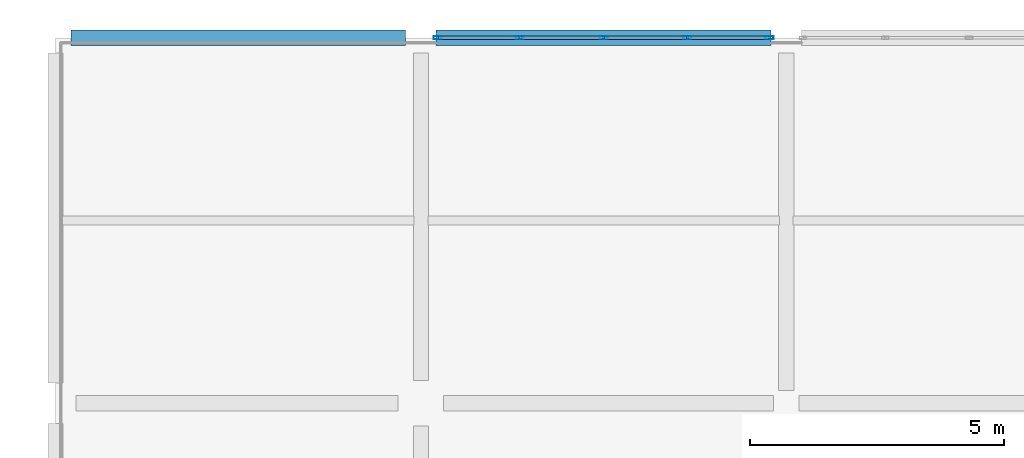
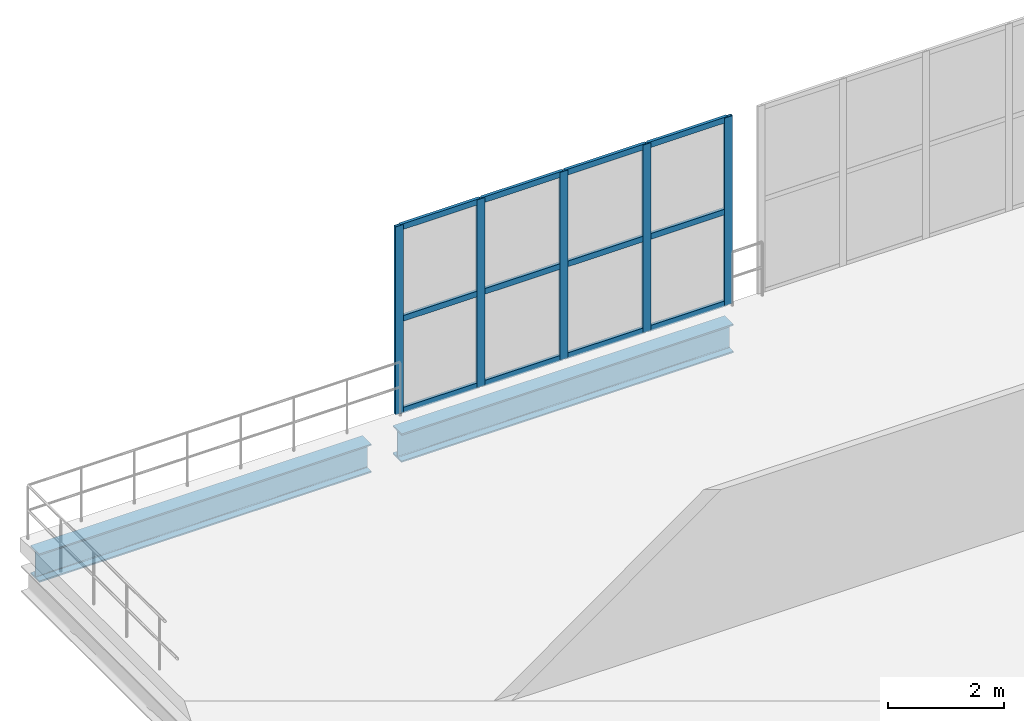
# One storey, part 109 of 153: 17 members, 2 beams, 1 element without a shape of its own.
"""IFC4 building model written with IfcOpenShell, lengths in metres."""

from ifc_helpers import new_model, si_unit, direction, frame, origin, origin_2d, place, context, subcontext, project, spatial, hollow_rectangle, i_section, extrude, material, material_profile, profile_set, type_object, element, aggregate, save


model = new_model("IFC4")

# Units and contexts
model_context = context("Model", 3, precision=1e-05, world=origin(), true_north=direction((0.0, 1.0)))
body_context = subcontext(model_context, "Body", "Model", "MODEL_VIEW")
ifc_project = project(units=[si_unit("LENGTHUNIT", "METRE"), si_unit("AREAUNIT", "SQUARE_METRE"), si_unit("VOLUMEUNIT", "CUBIC_METRE"), si_unit("PLANEANGLEUNIT", "RADIAN"), si_unit("MASSUNIT", "GRAM", prefix="KILO")], contexts=[model_context])

# Site, building, storey
site_placement = place(None, origin())
site = spatial("IfcSite", under=ifc_project, at=site_placement, CompositionType="ELEMENT")
building_placement = place(site_placement, origin())
building = spatial("IfcBuilding", under=site, at=building_placement, Name="Qandorah Velis Arena", CompositionType="ELEMENT")
storey_placement = place(building_placement, frame((0.0, 0.0, 5.39990234375)))
storey = spatial("IfcBuildingStorey", under=building, at=storey_placement, Name="L01", CompositionType="ELEMENT", Elevation=5.39990234375)

# Curtain wall, members
ifc_material_1 = material(Name="Solar-control low-E double glazing", Category="glass")
curtain_wall_type = type_object("IfcCurtainWallType", Name="ARC-CW-SYS07", PredefinedType="USERDEFINED", material=ifc_material_1)
curtain_wall_placement = place(storey_placement, origin())
curtain_wall = element("IfcCurtainWall", 1, at=curtain_wall_placement, inside=storey, type_object=curtain_wall_type, Name="Unitised curtain wall L01-079", ObjectType="UNITISED CURTAIN WALL", PredefinedType="USERDEFINED")
ifc_material_2 = material(Name="Champagne-bronze anodized aluminium 6063-T6", Category="aluminium")
ifc_material_profile_1 = material_profile(ifc_material_2, hollow_rectangle(XDim=0.06005859375, YDim=0.159912109375, WallThickness=0.00341796875, at=origin_2d()), Name="ALU MULLION 60x160")
ifc_profile_set_1 = profile_set([ifc_material_profile_1], Name="Champagne-bronze anodized aluminium 6063-T6")
member_type_1 = type_object("IfcMemberType", Name="ARC-CWM-160", PredefinedType="MULLION", material=ifc_profile_set_1)
member_1_placement = place(storey_placement, frame((7.530029296875, 129.60009765625, -0.014892578125), z_axis=(0.0, 0.0, 1.0), x_axis=(0.0, 1.0, 0.0)))
member_1 = element("IfcMember", 2, at=member_1_placement, type_object=member_type_1, Name="CW07 mullion 1", PredefinedType="MULLION", context=body_context, shape_type="SweptSolid", body=[
    extrude(hollow_rectangle(XDim=0.06005859375, YDim=0.159912109375, WallThickness=0.00341796875, at=origin_2d()), origin(), (0.0, 0.0, 1.0), 3.949951171875),
])
member_2_placement = place(storey_placement, frame((9.14990234375, 129.60009765625, -0.014892578125), z_axis=(0.0, 0.0, 1.0), x_axis=(0.0, 1.0, 0.0)))
member_2 = element("IfcMember", 3, at=member_2_placement, type_object=member_type_1, Name="CW07 mullion 2", PredefinedType="MULLION", context=body_context, shape_type="SweptSolid", body=[
    extrude(hollow_rectangle(XDim=0.06005859375, YDim=0.159912109375, WallThickness=0.00341796875, at=origin_2d()), origin(), (0.0, 0.0, 1.0), 3.949951171875),
])
member_3_placement = place(storey_placement, frame((10.800048828125, 129.60009765625, -0.014892578125), z_axis=(0.0, 0.0, 1.0), x_axis=(0.0, 1.0, 0.0)))
member_3 = element("IfcMember", 4, at=member_3_placement, type_object=member_type_1, Name="CW07 mullion 3", PredefinedType="MULLION", context=body_context, shape_type="SweptSolid", body=[
    extrude(hollow_rectangle(XDim=0.06005859375, YDim=0.159912109375, WallThickness=0.00341796875, at=origin_2d()), origin(), (0.0, 0.0, 1.0), 3.949951171875),
])
member_4_placement = place(storey_placement, frame((12.449951171875, 129.60009765625, -0.014892578125), z_axis=(0.0, 0.0, 1.0), x_axis=(0.0, 1.0, 0.0)))
member_4 = element("IfcMember", 5, at=member_4_placement, type_object=member_type_1, Name="CW07 mullion 4", PredefinedType="MULLION", context=body_context, shape_type="SweptSolid", body=[
    extrude(hollow_rectangle(XDim=0.06005859375, YDim=0.159912109375, WallThickness=0.00341796875, at=origin_2d()), origin(), (0.0, 0.0, 1.0), 3.949951171875),
])
member_5_placement = place(storey_placement, frame((14.070068359375, 129.60009765625, -0.014892578125), z_axis=(0.0, 0.0, 1.0), x_axis=(0.0, 1.0, 0.0)))
member_5 = element("IfcMember", 6, at=member_5_placement, type_object=member_type_1, Name="CW07 mullion 5", PredefinedType="MULLION", context=body_context, shape_type="SweptSolid", body=[
    extrude(hollow_rectangle(XDim=0.06005859375, YDim=0.159912109375, WallThickness=0.00341796875, at=origin_2d()), origin(), (0.0, 0.0, 1.0), 3.949951171875),
])
ifc_material_profile_2 = material_profile(ifc_material_2, hollow_rectangle(XDim=0.06005859375, YDim=0.1201171875, WallThickness=0.0029296875, at=origin_2d()), Name="ALU TRANSOM 60x120")
ifc_profile_set_2 = profile_set([ifc_material_profile_2], Name="Champagne-bronze anodized aluminium 6063-T6")
member_type_2 = type_object("IfcMemberType", Name="ARC-CWT-120", PredefinedType="USERDEFINED", material=ifc_profile_set_2)
member_6_placement = place(storey_placement, frame((7.548095703125, 129.60009765625, 0.030029296875), z_axis=(1.0, 0.0, 0.0), x_axis=(0.0, 1.0, 0.0)))
member_6 = element("IfcMember", 7, at=member_6_placement, type_object=member_type_2, Name="CW07 transom 1.1", ObjectType="TRANSOM", PredefinedType="USERDEFINED", context=body_context, shape_type="SweptSolid", body=[
    extrude(hollow_rectangle(XDim=0.06005859375, YDim=0.1201171875, WallThickness=0.0029296875, at=origin_2d()), origin(), (0.0, 0.0, 1.0), 1.583984375),
])
member_7_placement = place(storey_placement, frame((7.548095703125, 129.60009765625, 1.960205078125), z_axis=(1.0, 0.0, 0.0), x_axis=(0.0, 1.0, 0.0)))
member_7 = element("IfcMember", 8, at=member_7_placement, type_object=member_type_2, Name="CW07 transom 1.2", ObjectType="TRANSOM", PredefinedType="USERDEFINED", context=body_context, shape_type="SweptSolid", body=[
    extrude(hollow_rectangle(XDim=0.06005859375, YDim=0.1201171875, WallThickness=0.0029296875, at=origin_2d()), origin(), (0.0, 0.0, 1.0), 1.583984375),
])
member_8_placement = place(storey_placement, frame((7.548095703125, 129.60009765625, 3.89013671875), z_axis=(1.0, 0.0, 0.0), x_axis=(0.0, 1.0, 0.0)))
member_8 = element("IfcMember", 9, at=member_8_placement, type_object=member_type_2, Name="CW07 transom 1.3", ObjectType="TRANSOM", PredefinedType="USERDEFINED", context=body_context, shape_type="SweptSolid", body=[
    extrude(hollow_rectangle(XDim=0.06005859375, YDim=0.1201171875, WallThickness=0.0029296875, at=origin_2d()), origin(), (0.0, 0.0, 1.0), 1.583984375),
])
member_9_placement = place(storey_placement, frame((9.16796875, 129.60009765625, 0.030029296875), z_axis=(1.0, 0.0, 0.0), x_axis=(0.0, 1.0, 0.0)))
member_9 = element("IfcMember", 10, at=member_9_placement, type_object=member_type_2, Name="CW07 transom 2.1", ObjectType="TRANSOM", PredefinedType="USERDEFINED", context=body_context, shape_type="SweptSolid", body=[
    extrude(hollow_rectangle(XDim=0.06005859375, YDim=0.1201171875, WallThickness=0.0029296875, at=origin_2d()), origin(), (0.0, 0.0, 1.0), 1.614013671875),
])
member_10_placement = place(storey_placement, frame((9.16796875, 129.60009765625, 1.960205078125), z_axis=(1.0, 0.0, 0.0), x_axis=(0.0, 1.0, 0.0)))
member_10 = element("IfcMember", 11, at=member_10_placement, type_object=member_type_2, Name="CW07 transom 2.2", ObjectType="TRANSOM", PredefinedType="USERDEFINED", context=body_context, shape_type="SweptSolid", body=[
    extrude(hollow_rectangle(XDim=0.06005859375, YDim=0.1201171875, WallThickness=0.0029296875, at=origin_2d()), origin(), (0.0, 0.0, 1.0), 1.614013671875),
])
member_11_placement = place(storey_placement, frame((9.16796875, 129.60009765625, 3.89013671875), z_axis=(1.0, 0.0, 0.0), x_axis=(0.0, 1.0, 0.0)))
member_11 = element("IfcMember", 12, at=member_11_placement, type_object=member_type_2, Name="CW07 transom 2.3", ObjectType="TRANSOM", PredefinedType="USERDEFINED", context=body_context, shape_type="SweptSolid", body=[
    extrude(hollow_rectangle(XDim=0.06005859375, YDim=0.1201171875, WallThickness=0.0029296875, at=origin_2d()), origin(), (0.0, 0.0, 1.0), 1.614013671875),
])
member_12_placement = place(storey_placement, frame((10.818115234375, 129.60009765625, 0.030029296875), z_axis=(1.0, 0.0, 0.0), x_axis=(0.0, 1.0, 0.0)))
member_12 = element("IfcMember", 13, at=member_12_placement, type_object=member_type_2, Name="CW07 transom 3.1", ObjectType="TRANSOM", PredefinedType="USERDEFINED", context=body_context, shape_type="SweptSolid", body=[
    extrude(hollow_rectangle(XDim=0.06005859375, YDim=0.1201171875, WallThickness=0.0029296875, at=origin_2d()), origin(), (0.0, 0.0, 1.0), 1.61376953125),
])
member_13_placement = place(storey_placement, frame((10.818115234375, 129.60009765625, 1.960205078125), z_axis=(1.0, 0.0, 0.0), x_axis=(0.0, 1.0, 0.0)))
member_13 = element("IfcMember", 14, at=member_13_placement, type_object=member_type_2, Name="CW07 transom 3.2", ObjectType="TRANSOM", PredefinedType="USERDEFINED", context=body_context, shape_type="SweptSolid", body=[
    extrude(hollow_rectangle(XDim=0.06005859375, YDim=0.1201171875, WallThickness=0.0029296875, at=origin_2d()), origin(), (0.0, 0.0, 1.0), 1.61376953125),
])
member_14_placement = place(storey_placement, frame((10.818115234375, 129.60009765625, 3.89013671875), z_axis=(1.0, 0.0, 0.0), x_axis=(0.0, 1.0, 0.0)))
member_14 = element("IfcMember", 15, at=member_14_placement, type_object=member_type_2, Name="CW07 transom 3.3", ObjectType="TRANSOM", PredefinedType="USERDEFINED", context=body_context, shape_type="SweptSolid", body=[
    extrude(hollow_rectangle(XDim=0.06005859375, YDim=0.1201171875, WallThickness=0.0029296875, at=origin_2d()), origin(), (0.0, 0.0, 1.0), 1.61376953125),
])
member_15_placement = place(storey_placement, frame((12.468017578125, 129.60009765625, 0.030029296875), z_axis=(1.0, 0.0, 0.0), x_axis=(0.0, 1.0, 0.0)))
member_15 = element("IfcMember", 16, at=member_15_placement, type_object=member_type_2, Name="CW07 transom 4.1", ObjectType="TRANSOM", PredefinedType="USERDEFINED", context=body_context, shape_type="SweptSolid", body=[
    extrude(hollow_rectangle(XDim=0.06005859375, YDim=0.1201171875, WallThickness=0.0029296875, at=origin_2d()), origin(), (0.0, 0.0, 1.0), 1.583984375),
])
member_16_placement = place(storey_placement, frame((12.468017578125, 129.60009765625, 1.960205078125), z_axis=(1.0, 0.0, 0.0), x_axis=(0.0, 1.0, 0.0)))
member_16 = element("IfcMember", 17, at=member_16_placement, type_object=member_type_2, Name="CW07 transom 4.2", ObjectType="TRANSOM", PredefinedType="USERDEFINED", context=body_context, shape_type="SweptSolid", body=[
    extrude(hollow_rectangle(XDim=0.06005859375, YDim=0.1201171875, WallThickness=0.0029296875, at=origin_2d()), origin(), (0.0, 0.0, 1.0), 1.583984375),
])
member_17_placement = place(storey_placement, frame((12.468017578125, 129.60009765625, 3.89013671875), z_axis=(1.0, 0.0, 0.0), x_axis=(0.0, 1.0, 0.0)))
member_17 = element("IfcMember", 18, at=member_17_placement, type_object=member_type_2, Name="CW07 transom 4.3", ObjectType="TRANSOM", PredefinedType="USERDEFINED", context=body_context, shape_type="SweptSolid", body=[
    extrude(hollow_rectangle(XDim=0.06005859375, YDim=0.1201171875, WallThickness=0.0029296875, at=origin_2d()), origin(), (0.0, 0.0, 1.0), 1.583984375),
])
aggregate(curtain_wall, [member_1, member_2, member_3, member_4, member_5, member_6, member_7, member_8, member_9, member_10, member_11, member_12, member_13, member_14, member_15, member_16, member_17])

# Beams
ifc_material_3 = material(Name="Steel S355", Category="steel")
ifc_material_profile_3 = material_profile(ifc_material_3, i_section(OverallWidth=0.300048828125, OverallDepth=0.60009765625, WebThickness=0.015380859375, FlangeThickness=0.030029296875, FilletRadius=0.027099609375, at=origin_2d()), Name="HEB 600")
ifc_profile_set_3 = profile_set([ifc_material_profile_3], Name="Steel S355")
beam_type = type_object("IfcBeamType", Name="STR-BM-HEB600", PredefinedType="BEAM", material=ifc_profile_set_3)
beam_1_placement = place(storey_placement, frame((0.300048828125, 129.60009765625, -0.659912109375), z_axis=(1.0, 0.0, 0.0), x_axis=(0.0, 1.0, 0.0)))
element("IfcBeam", 19, at=beam_1_placement, inside=storey, type_object=beam_type, Name="Primary floor girder L01 X-204", PredefinedType="BEAM", context=body_context, shape_type="SweptSolid", body=[
    extrude(i_section(OverallWidth=0.300048828125, OverallDepth=0.60009765625, WebThickness=0.015380859375, FlangeThickness=0.030029296875, FilletRadius=0.027099609375, at=origin_2d()), origin(), (0.0, 0.0, 1.0), 6.599853515625),
])
beam_2_placement = place(storey_placement, frame((7.5, 129.60009765625, -0.659912109375), z_axis=(1.0, 0.0, 0.0), x_axis=(0.0, 1.0, 0.0)))
element("IfcBeam", 20, at=beam_2_placement, inside=storey, type_object=beam_type, Name="Primary floor girder L01 X-205", PredefinedType="BEAM", context=body_context, shape_type="SweptSolid", body=[
    extrude(i_section(OverallWidth=0.300048828125, OverallDepth=0.60009765625, WebThickness=0.015380859375, FlangeThickness=0.030029296875, FilletRadius=0.027099609375, at=origin_2d()), origin(), (0.0, 0.0, 1.0), 6.60009765625),
])

save(model, "model.ifc")
